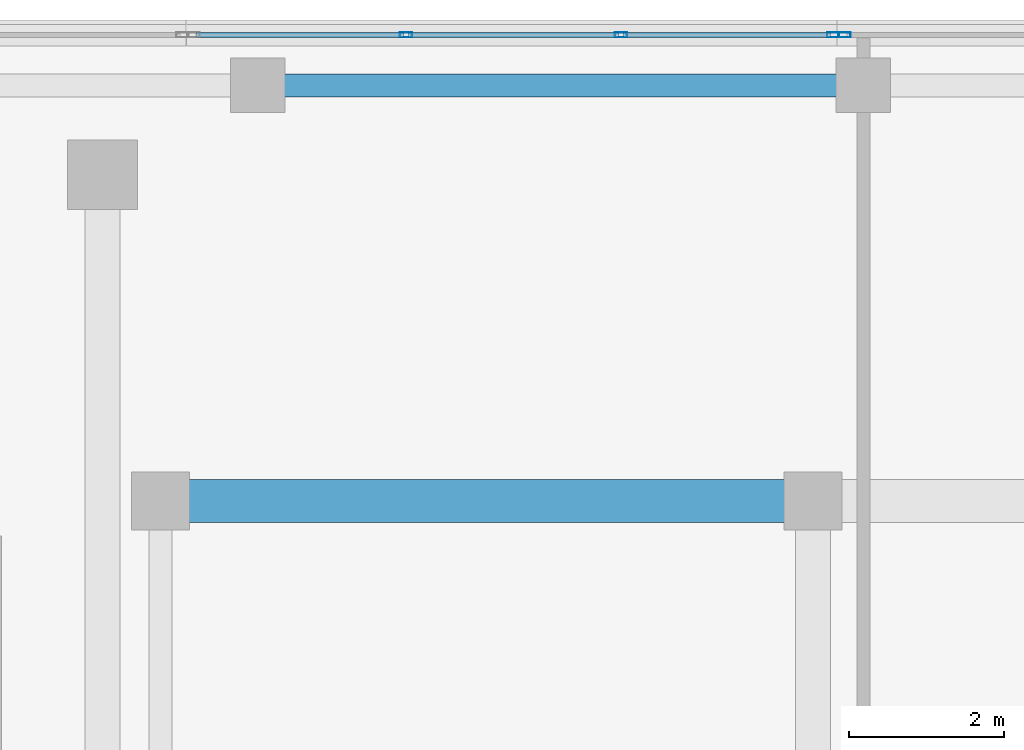
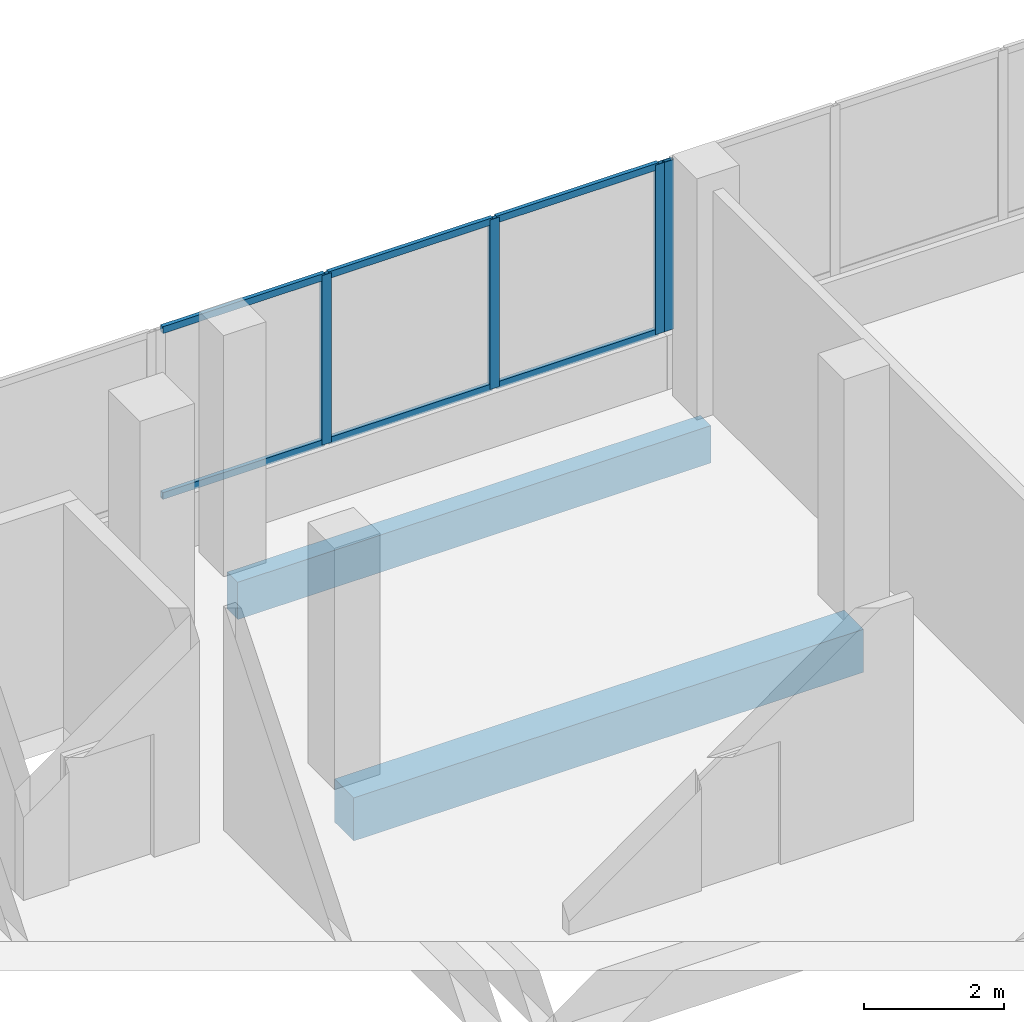
# One storey, part 137 of 184: 10 members, 2 beams, 2 elements without a shape of their own.
"""IFC4 building model written with IfcOpenShell, lengths in metres."""

import ifcopenshell
import ifcopenshell.guid

model = None  # the IFC model being written
_history = None  # IfcOwnerHistory: only IFC2X3 demands one
_inside = {}  # id of a spatial element -> (the spatial element, [elements in it])
_under = {}  # id of a project, library or spatial element -> (it, [spatial elements below it])
_declared = {}  # id of a project -> (the project, [libraries it declares])
_typed = {}  # id of a type object -> (the type object, [elements of that type])
_made_of = {}  # id of a material, layer set ... -> (it, [elements and type objects made of it])


def new_model(schema):
    """Start an empty IFC model of exactly this schema.

    Asked for "IFC4X3", IfcOpenShell would pick the latest addendum, in which some entities
    have other attributes; the version numbers below select the first issue.
    IFC2X3 requires an IfcOwnerHistory on every rooted entity: one is made here for all.
    """
    global model, _history
    if schema == "IFC4X3":
        model = ifcopenshell.file(schema_version=(4, 3, 0, 0))
    else:
        model = ifcopenshell.file(schema=schema)
    _inside.clear()
    _under.clear()
    _declared.clear()
    _typed.clear()
    _made_of.clear()
    _history = None
    if model.schema == "IFC2X3":
        org = make("IfcOrganization", Name="unknown")
        user = make(
            "IfcPersonAndOrganization",
            ThePerson=make("IfcPerson", FamilyName="unknown"),
            TheOrganization=org,
        )
        app = make(
            "IfcApplication",
            ApplicationDeveloper=org,
            Version="unknown",
            ApplicationFullName="unknown",
            ApplicationIdentifier="unknown",
        )
        _history = make(
            "IfcOwnerHistory",
            OwningUser=user,
            OwningApplication=app,
            ChangeAction="ADDED",
            CreationDate=0,
        )
    return model


def make(cls, **values):
    """One entity of the class cls with the attributes given. An attribute that is None is left unset."""
    return model.create_entity(
        cls, **{name: value for name, value in values.items() if value is not None}
    )


def rooted(cls, **values):
    """An entity with a GlobalId (a new one), such as an element, a storey or a relation."""
    return make(cls, GlobalId=ifcopenshell.guid.new(), OwnerHistory=_history, **values)


def si_unit(unit_type, name, prefix=None):
    """IfcSIUnit, for example si_unit("LENGTHUNIT", "METRE", prefix="MILLI")."""
    return make("IfcSIUnit", UnitType=unit_type, Prefix=prefix, Name=name)


def assignment(units):
    """IfcUnitAssignment: the units of a project."""
    return None if units is None else make("IfcUnitAssignment", Units=units)


def point(xyz):
    """IfcCartesianPoint."""
    return None if xyz is None else make("IfcCartesianPoint", Coordinates=xyz)


def direction(xyz):
    """IfcDirection."""
    return None if xyz is None else make("IfcDirection", DirectionRatios=xyz)


def frame(location, z_axis=None, x_axis=None):
    """IfcAxis2Placement3D, a coordinate frame: its origin and axes. An axis left out is left unset."""
    return make(
        "IfcAxis2Placement3D",
        Location=point(location),
        Axis=direction(z_axis),
        RefDirection=direction(x_axis),
    )


def frame_2d(location, x_axis=None):
    """IfcAxis2Placement2D, a coordinate frame in the plane: its origin and x axis."""
    return make(
        "IfcAxis2Placement2D", Location=point(location), RefDirection=direction(x_axis)
    )


def origin():
    """The frame at (0, 0, 0) with its axes left unset."""
    return frame((0.0, 0.0, 0.0))


def origin_2d():
    """The frame at (0, 0) in the plane with its x axis left unset."""
    return frame_2d((0.0, 0.0))


def place(relative_to, where):
    """IfcLocalPlacement: puts the frame where relative to a parent placement (None: the world)."""
    return make(
        "IfcLocalPlacement", PlacementRelTo=relative_to, RelativePlacement=where
    )


def context(
    kind, dimensions, precision=None, world=None, true_north=None, identifier=None
):
    """IfcGeometricRepresentationContext, for example the 3D "Model" context."""
    return make(
        "IfcGeometricRepresentationContext",
        ContextIdentifier=identifier,
        ContextType=kind,
        CoordinateSpaceDimension=dimensions,
        Precision=precision,
        WorldCoordinateSystem=world,
        TrueNorth=true_north,
    )


def subcontext(parent, identifier, kind, view, scale=None):
    """IfcGeometricRepresentationSubContext, for example "Body" below "Model"."""
    return make(
        "IfcGeometricRepresentationSubContext",
        ContextIdentifier=identifier,
        ContextType=kind,
        ParentContext=parent,
        TargetScale=scale,
        TargetView=view,
    )


def project(units=None, contexts=None):
    """IfcProject with its units and contexts."""
    return rooted(
        "IfcProject",
        Name="project",
        RepresentationContexts=contexts,
        UnitsInContext=assignment(units),
    )


def spatial(cls, under=None, at=None, **own):
    """A site, building, storey or space (cls), placed at a placement, below another one or the project."""
    s = rooted(cls, ObjectPlacement=at, **own)
    if under is not None:
        _under.setdefault(under.id(), (under, []))[1].append(s)
    return s


def profile(cls, at=None, kind="AREA", **sizes):
    """A parametric profile (cls). Its sizes go by their IFC names, for example OverallWidth=200.0."""
    return make(cls, ProfileType=kind, Position=at, **sizes)


def rectangle(**sizes):
    """IfcRectangleProfileDef."""
    return profile("IfcRectangleProfileDef", **sizes)


def hollow_rectangle(**sizes):
    """IfcRectangleHollowProfileDef."""
    return profile("IfcRectangleHollowProfileDef", **sizes)


def extrude(swept, where, along, depth):
    """IfcExtrudedAreaSolid: the profile swept, set in the frame where, extruded along a direction by depth."""
    return make(
        "IfcExtrudedAreaSolid",
        SweptArea=swept,
        Position=where,
        ExtrudedDirection=direction(along),
        Depth=depth,
    )


def shape(context_of_items, identifier, shape_type, items):
    """IfcShapeRepresentation: the items that make up one representation, for example the "Body"."""
    return make(
        "IfcShapeRepresentation",
        ContextOfItems=context_of_items,
        RepresentationIdentifier=identifier,
        RepresentationType=shape_type,
        Items=items,
    )


def material(Name=None, Category=None):
    """IfcMaterial."""
    return make("IfcMaterial", Name=Name, Category=Category)


def material_profile(
    of_material, cross_section, Name=None, Category=None, Priority=None
):
    """IfcMaterialProfile: a cross section and its material."""
    return make(
        "IfcMaterialProfile",
        Name=Name,
        Material=of_material,
        Profile=cross_section,
        Priority=Priority,
        Category=Category,
    )


def profile_set(profiles, Name=None, composite=None):
    """IfcMaterialProfileSet."""
    return make(
        "IfcMaterialProfileSet",
        Name=Name,
        MaterialProfiles=profiles,
        CompositeProfile=composite,
    )


def made_of(thing, what):
    """Note that an element or type object is made of a material, layer set ...; save() writes the relation."""
    if what is not None:
        _made_of.setdefault(what.id(), (what, []))[1].append(thing)
    return thing


def type_object(cls, material=None, **own):
    """A type object (cls), such as IfcWallType, which elements share."""
    return made_of(rooted(cls, **own), material)


def element(
    cls,
    number,
    at=None,
    inside=None,
    cuts=None,
    type_object=None,
    material=None,
    context=None,
    identifier="Body",
    shape_type=None,
    held_by="IfcProductDefinitionShape",
    body=None,
    shapes=None,
    **own,
):
    """One element of the class cls, such as IfcWall. Its Tag is "e" and its number.

    at: its placement. inside: the storey or other place that contains it. cuts: it is an
    opening in that element (IfcRelVoidsElement). A single representation is given by context,
    identifier, shape_type and body (its items); several are given by shapes. held_by: the class
    of the entity that holds the representations. save() writes the other relations.
    """
    e = rooted(cls, Tag="e%d" % number, ObjectPlacement=at, **own)
    if body is not None:
        shapes = [shape(context, identifier, shape_type, body)]
    if shapes is not None:
        e.Representation = make(held_by, Representations=shapes)
    if inside is not None:
        _inside.setdefault(inside.id(), (inside, []))[1].append(e)
    if cuts is not None:
        rooted(
            "IfcRelVoidsElement", RelatingBuildingElement=cuts, RelatedOpeningElement=e
        )
    if type_object is not None:
        _typed.setdefault(type_object.id(), (type_object, []))[1].append(e)
    return made_of(e, material)


def aggregate(whole, parts):
    """IfcRelAggregates: a whole, such as a stair, and the parts it consists of."""
    return rooted("IfcRelAggregates", RelatingObject=whole, RelatedObjects=parts)


def save(model, path):
    """Write the relations noted so far, then the file.

    IfcRelAggregates (storeys below a building ...), IfcRelContainedInSpatialStructure (elements
    in a storey), IfcRelDefinesByType, IfcRelAssociatesMaterial and IfcRelDeclares: one each for
    every whole, place, type object, material and project.
    """
    for whole, parts in _under.values():
        aggregate(whole, parts)
    for where, things in _inside.values():
        rooted(
            "IfcRelContainedInSpatialStructure",
            RelatedElements=things,
            RelatingStructure=where,
        )
    for kind, things in _typed.values():
        rooted("IfcRelDefinesByType", RelatedObjects=things, RelatingType=kind)
    for what, things in _made_of.values():
        rooted("IfcRelAssociatesMaterial", RelatedObjects=things, RelatingMaterial=what)
    for by, libraries in _declared.values():
        rooted("IfcRelDeclares", RelatingContext=by, RelatedDefinitions=libraries)
    model.write(path)


model = new_model("IFC4")

# Units and contexts
model_context = context("Model", 3, precision=1e-05, world=origin(), true_north=direction((0.0, 1.0)))
body_context = subcontext(model_context, "Body", "Model", "MODEL_VIEW")
ifc_project = project(units=[si_unit("LENGTHUNIT", "METRE"), si_unit("AREAUNIT", "SQUARE_METRE"), si_unit("VOLUMEUNIT", "CUBIC_METRE"), si_unit("PLANEANGLEUNIT", "RADIAN"), si_unit("MASSUNIT", "GRAM", prefix="KILO")], contexts=[model_context])

# Site, building, storey
site_placement = place(None, origin())
site = spatial("IfcSite", under=ifc_project, at=site_placement, CompositionType="ELEMENT")
building_placement = place(site_placement, origin())
building = spatial("IfcBuilding", under=site, at=building_placement, Name="Selatvlak General Hospital", CompositionType="ELEMENT")
storey_placement = place(building_placement, frame((0.0, 0.0, 15.0)))
storey = spatial("IfcBuildingStorey", under=building, at=storey_placement, Name="L03", CompositionType="ELEMENT", Elevation=15.0)

# Beams
ifc_material_1 = material(Name="Concrete C40/50", Category="concrete")
ifc_material_profile_1 = material_profile(ifc_material_1, rectangle(XDim=0.550048828125, YDim=0.75, at=origin_2d()), Name="RC-BM 550x750")
ifc_profile_set_1 = profile_set([ifc_material_profile_1], Name="Concrete C40/50")
beam_type_1 = type_object("IfcBeamType", Name="BM-G02", PredefinedType="BEAM", material=ifc_profile_set_1)
beam_1_placement = place(storey_placement, frame((148.14990234375, 114.0, -0.715087890625), z_axis=(1.0, 0.0, 0.0), x_axis=(0.0, 1.0, 0.0)))
element("IfcBeam", 1, at=beam_1_placement, inside=storey, type_object=beam_type_1, Name="Beam BMR-L03-1271", PredefinedType="BEAM", context=body_context, shape_type="SweptSolid", body=[
    extrude(rectangle(XDim=0.550048828125, YDim=0.75, at=origin_2d()), origin(), (0.0, 0.0, 1.0), 8.400146484375),
])
ifc_material_profile_2 = material_profile(ifc_material_1, rectangle(XDim=0.300048828125, YDim=0.64990234375, at=origin_2d()), Name="RC-SP 300x650")
ifc_profile_set_2 = profile_set([ifc_material_profile_2], Name="Concrete C40/50")
beam_type_2 = type_object("IfcBeamType", Name="BM-SP1", PredefinedType="SPANDREL", material=ifc_profile_set_2)
beam_2_placement = place(storey_placement, frame((149.39990234375, 119.35009765625, -0.6650390625), z_axis=(1.0, 0.0, 0.0), x_axis=(0.0, 1.0, 0.0)))
element("IfcBeam", 2, at=beam_2_placement, inside=storey, type_object=beam_type_2, Name="Beam BMR-L03-1287", PredefinedType="SPANDREL", context=body_context, shape_type="SweptSolid", body=[
    extrude(rectangle(XDim=0.300048828125, YDim=0.64990234375, at=origin_2d()), origin(), (0.0, 0.0, 1.0), 7.800048828125),
])

# Curtain wall, members
ifc_material_2 = material(Name="Solar-control Low-E double glazing", Category="glass")
curtain_wall_type_1 = type_object("IfcCurtainWallType", Name="CW-CW-01", PredefinedType="USERDEFINED", material=ifc_material_2)
curtain_wall_1_placement = place(storey_placement, origin())
curtain_wall_1 = element("IfcCurtainWall", 3, at=curtain_wall_1_placement, inside=storey, type_object=curtain_wall_type_1, Name="Glazed facade curtain wall CW-L03-0380", ObjectType="UNITISED CURTAIN WALL", PredefinedType="USERDEFINED")
ifc_material_3 = material(Name="Dark anodised aluminium mullion", Category="aluminium")
ifc_material_profile_3 = material_profile(ifc_material_3, hollow_rectangle(XDim=0.06494140625, YDim=0.159912109375, WallThickness=0.00390625, at=origin_2d()), Name="AL-MUL 65x160x4")
ifc_profile_set_3 = profile_set([ifc_material_profile_3], Name="Dark anodised aluminium mullion")
member_type_1 = type_object("IfcMemberType", Name="CWM-01", PredefinedType="MULLION", material=ifc_profile_set_3)
member_1_placement = place(storey_placement, frame((151.310546875, 120.0, 0.93994140625), z_axis=(0.0, 0.0, 1.0), x_axis=(0.0, 1.0, 0.0)))
member_1 = element("IfcMember", 4, at=member_1_placement, type_object=member_type_1, Name="CW-01 mullion 2", PredefinedType="MULLION", context=body_context, shape_type="SweptSolid", body=[
    extrude(hollow_rectangle(XDim=0.06494140625, YDim=0.159912109375, WallThickness=0.00390625, at=origin_2d()), origin(), (0.0, 0.0, 1.0), 2.955078125),
])
member_2_placement = place(storey_placement, frame((154.077392578125, 120.0, 0.93994140625), z_axis=(0.0, 0.0, 1.0), x_axis=(0.0, 1.0, 0.0)))
member_2 = element("IfcMember", 5, at=member_2_placement, type_object=member_type_1, Name="CW-01 mullion 3", PredefinedType="MULLION", context=body_context, shape_type="SweptSolid", body=[
    extrude(hollow_rectangle(XDim=0.06494140625, YDim=0.159912109375, WallThickness=0.00390625, at=origin_2d()), origin(), (0.0, 0.0, 1.0), 2.955078125),
])
member_3_placement = place(storey_placement, frame((156.8115234375, 120.0, 0.93994140625), z_axis=(0.0, 0.0, 1.0), x_axis=(0.0, 1.0, 0.0)))
member_3 = element("IfcMember", 6, at=member_3_placement, type_object=member_type_1, Name="CW-01 mullion 4", PredefinedType="MULLION", context=body_context, shape_type="SweptSolid", body=[
    extrude(hollow_rectangle(XDim=0.06494140625, YDim=0.159912109375, WallThickness=0.00390625, at=origin_2d()), origin(), (0.0, 0.0, 1.0), 2.955078125),
])

# Curtain wall, member
curtain_wall_type_2 = type_object("IfcCurtainWallType", Name="CW-CW-02", PredefinedType="USERDEFINED", material=ifc_material_2)
curtain_wall_2_placement = place(storey_placement, origin())
curtain_wall_2 = element("IfcCurtainWall", 7, at=curtain_wall_2_placement, inside=storey, type_object=curtain_wall_type_2, Name="Glazed facade curtain wall CW-L03-0381", ObjectType="UNITISED CURTAIN WALL", PredefinedType="USERDEFINED")
member_4_placement = place(storey_placement, frame((156.95654296875, 120.0, 0.93994140625), z_axis=(0.0, 0.0, 1.0), x_axis=(0.0, 1.0, 0.0)))
member_4 = element("IfcMember", 8, at=member_4_placement, type_object=member_type_1, Name="CW-02 mullion 1", PredefinedType="MULLION", context=body_context, shape_type="SweptSolid", body=[
    extrude(hollow_rectangle(XDim=0.06494140625, YDim=0.159912109375, WallThickness=0.00390625, at=origin_2d()), origin(), (0.0, 0.0, 1.0), 2.955078125),
])
aggregate(curtain_wall_2, [member_4])

# Member
ifc_material_profile_4 = material_profile(ifc_material_3, hollow_rectangle(XDim=0.06494140625, YDim=0.1201171875, WallThickness=0.00390625, at=origin_2d()), Name="AL-TRN 65x120x4")
ifc_profile_set_4 = profile_set([ifc_material_profile_4], Name="Dark anodised aluminium mullion")
member_type_2 = type_object("IfcMemberType", Name="CWT-01", PredefinedType="USERDEFINED", material=ifc_profile_set_4)
member_5_placement = place(storey_placement, frame((148.60888671875, 120.0, 0.972412109375), z_axis=(1.0, 0.0, 0.0), x_axis=(0.0, 1.0, 0.0)))
member_5 = element("IfcMember", 9, at=member_5_placement, type_object=member_type_2, Name="CW-01 transom 1.1", ObjectType="TRANSOM", PredefinedType="USERDEFINED", context=body_context, shape_type="SweptSolid", body=[
    extrude(hollow_rectangle(XDim=0.06494140625, YDim=0.1201171875, WallThickness=0.00390625, at=origin_2d()), origin(), (0.0, 0.0, 1.0), 2.669189453125),
])

member_6_placement = place(storey_placement, frame((148.60888671875, 120.0, 3.862548828125), z_axis=(1.0, 0.0, 0.0), x_axis=(0.0, 1.0, 0.0)))
member_6 = element("IfcMember", 10, at=member_6_placement, type_object=member_type_2, Name="CW-01 transom 1.2", ObjectType="TRANSOM", PredefinedType="USERDEFINED", context=body_context, shape_type="SweptSolid", body=[
    extrude(hollow_rectangle(XDim=0.06494140625, YDim=0.1201171875, WallThickness=0.00390625, at=origin_2d()), origin(), (0.0, 0.0, 1.0), 2.669189453125),
])

member_7_placement = place(storey_placement, frame((151.34326171875, 120.0, 0.972412109375), z_axis=(1.0, 0.0, 0.0), x_axis=(0.0, 1.0, 0.0)))
member_7 = element("IfcMember", 11, at=member_7_placement, type_object=member_type_2, Name="CW-01 transom 2.1", ObjectType="TRANSOM", PredefinedType="USERDEFINED", context=body_context, shape_type="SweptSolid", body=[
    extrude(hollow_rectangle(XDim=0.06494140625, YDim=0.1201171875, WallThickness=0.00390625, at=origin_2d()), origin(), (0.0, 0.0, 1.0), 2.70166015625),
])

member_8_placement = place(storey_placement, frame((151.34326171875, 120.0, 3.862548828125), z_axis=(1.0, 0.0, 0.0), x_axis=(0.0, 1.0, 0.0)))
member_8 = element("IfcMember", 12, at=member_8_placement, type_object=member_type_2, Name="CW-01 transom 2.2", ObjectType="TRANSOM", PredefinedType="USERDEFINED", context=body_context, shape_type="SweptSolid", body=[
    extrude(hollow_rectangle(XDim=0.06494140625, YDim=0.1201171875, WallThickness=0.00390625, at=origin_2d()), origin(), (0.0, 0.0, 1.0), 2.70166015625),
])

member_9_placement = place(storey_placement, frame((154.10986328125, 120.0, 0.972412109375), z_axis=(1.0, 0.0, 0.0), x_axis=(0.0, 1.0, 0.0)))
member_9 = element("IfcMember", 13, at=member_9_placement, type_object=member_type_2, Name="CW-01 transom 3.1", ObjectType="TRANSOM", PredefinedType="USERDEFINED", context=body_context, shape_type="SweptSolid", body=[
    extrude(hollow_rectangle(XDim=0.06494140625, YDim=0.1201171875, WallThickness=0.00390625, at=origin_2d()), origin(), (0.0, 0.0, 1.0), 2.669189453125),
])

member_10_placement = place(storey_placement, frame((154.10986328125, 120.0, 3.862548828125), z_axis=(1.0, 0.0, 0.0), x_axis=(0.0, 1.0, 0.0)))
member_10 = element("IfcMember", 14, at=member_10_placement, type_object=member_type_2, Name="CW-01 transom 3.2", ObjectType="TRANSOM", PredefinedType="USERDEFINED", context=body_context, shape_type="SweptSolid", body=[
    extrude(hollow_rectangle(XDim=0.06494140625, YDim=0.1201171875, WallThickness=0.00390625, at=origin_2d()), origin(), (0.0, 0.0, 1.0), 2.669189453125),
])

aggregate(curtain_wall_1, [member_1, member_2, member_3, member_5, member_6, member_7, member_8, member_9, member_10])

save(model, "model.ifc")
